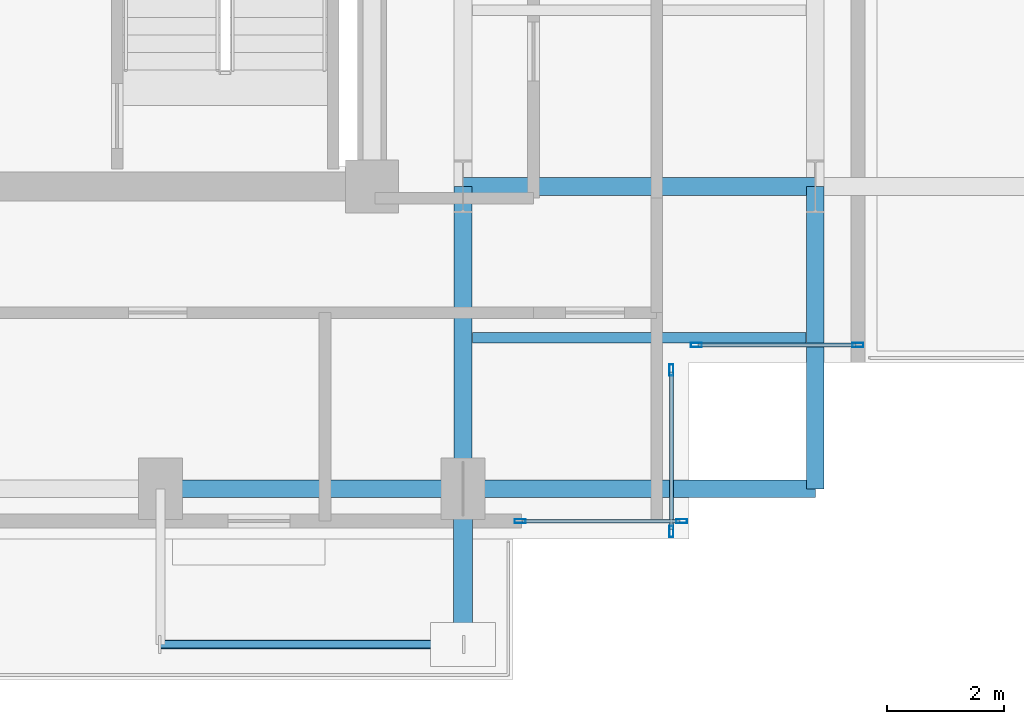
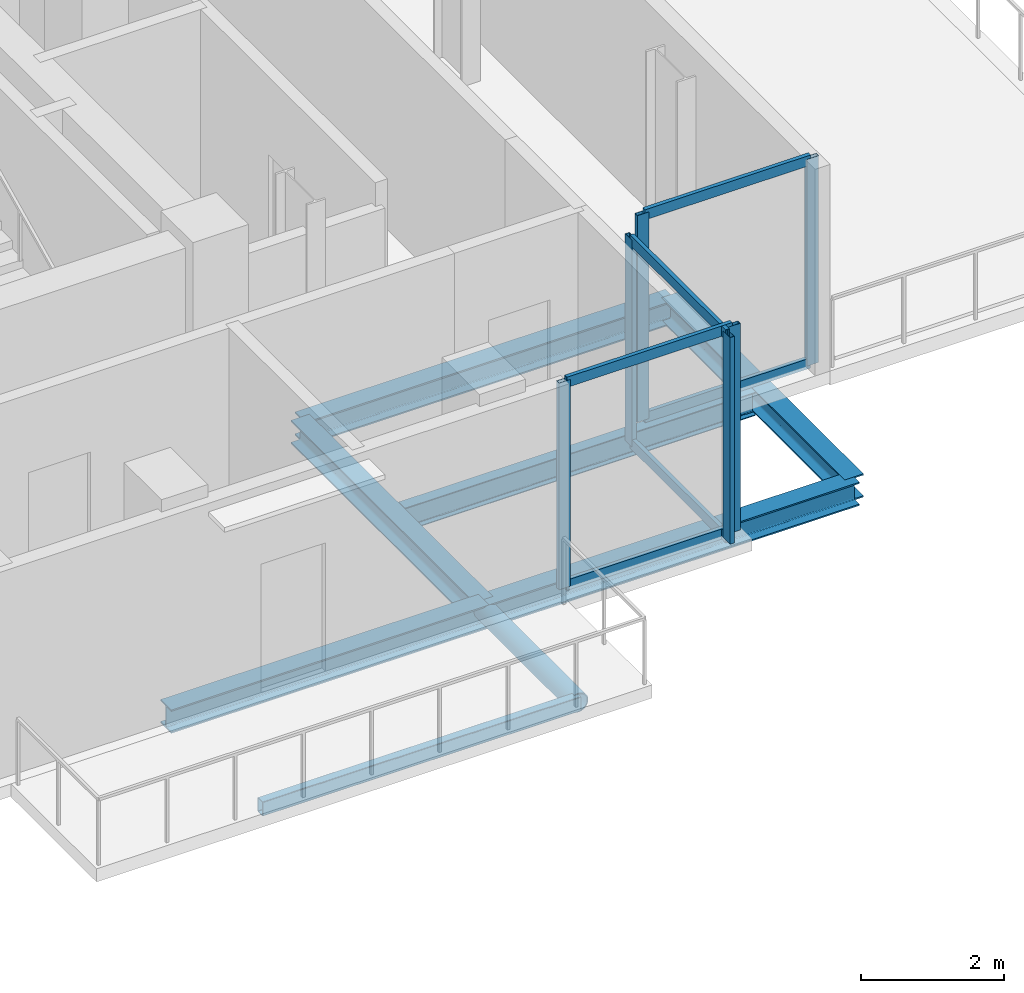
# One storey, part 11 of 28: 13 members, 7 beams, 3 elements without a shape of their own.
"""IFC4 building model written with IfcOpenShell, lengths in metres."""

from ifc_helpers import new_model, si_unit, direction, frame, origin, origin_2d, place, context, subcontext, project, spatial, hollow_rectangle, hollow_circle, i_section, extrude, material, layer, layer_set, material_profile, profile_set, type_object, element, aggregate, save


model = new_model("IFC4")

# Units and contexts
model_context = context("Model", 3, precision=1e-05, world=origin(), true_north=direction((0.0, 1.0)))
body_context = subcontext(model_context, "Body", "Model", "MODEL_VIEW")
ifc_project = project(units=[si_unit("LENGTHUNIT", "METRE"), si_unit("AREAUNIT", "SQUARE_METRE"), si_unit("VOLUMEUNIT", "CUBIC_METRE"), si_unit("PLANEANGLEUNIT", "RADIAN"), si_unit("MASSUNIT", "GRAM", prefix="KILO"), si_unit("THERMODYNAMICTEMPERATUREUNIT", "KELVIN"), si_unit("POWERUNIT", "WATT")], contexts=[model_context])

# Site, building, storey
site_placement = place(None, origin())
site = spatial("IfcSite", under=ifc_project, at=site_placement, CompositionType="ELEMENT")
building_placement = place(site_placement, origin())
building = spatial("IfcBuilding", under=site, at=building_placement, Name="Svarakhadi Broadcast Tower", CompositionType="ELEMENT")
storey_placement = place(building_placement, frame((0.0, 0.0, 169.199951171875)))
storey = spatial("IfcBuildingStorey", under=building, at=storey_placement, Name="L41", CompositionType="ELEMENT", Elevation=169.199951171875)

# Beam
ifc_material_1 = material(Name="Steel S355J2 (IS 2062 E350C)", Category="steel")
ifc_material_profile_1 = material_profile(ifc_material_1, i_section(OverallWidth=0.179931640625, OverallDepth=0.39990234375, WebThickness=0.008544921875, FlangeThickness=0.013427734375, FilletRadius=0.02099609375, at=origin_2d()), Name="NPB 400x180x66")
ifc_profile_set_1 = profile_set([ifc_material_profile_1], Name="Steel S355J2 (IS 2062 E350C)")
beam_type_1 = type_object("IfcBeamType", Name="Beam_NPB400", PredefinedType="BEAM", material=ifc_profile_set_1)
beam_1_placement = place(storey_placement, frame((35.31005859375, 3.425048828125, -0.409912109375), z_axis=(1.0, 0.0, 0.0), x_axis=(0.0, 1.0, 0.0)))
element("IfcBeam", 1, at=beam_1_placement, inside=storey, type_object=beam_type_1, Name="L41 Secondary Composite Beam SB017", PredefinedType="BEAM", context=body_context, shape_type="SweptSolid", body=[
    extrude(i_section(OverallWidth=0.179931640625, OverallDepth=0.39990234375, WebThickness=0.008544921875, FlangeThickness=0.013427734375, FilletRadius=0.02099609375, at=origin_2d()), origin(), (0.0, 0.0, 1.0), 5.679931640625),
])

# Curtain wall, members
ifc_material_2 = material(Name="Anodised Bronze Aluminium AA 6063-T6", Category="aluminium")
ifc_layer = layer(ifc_material_2, 0.18994140625)
ifc_layer_set = layer_set([ifc_layer], Name="Anodised Bronze Aluminium AA 6063-T6")
curtain_wall_type = type_object("IfcCurtainWallType", Name="CW_Sys_04", PredefinedType="NOTDEFINED", material=ifc_layer_set)
curtain_wall_1_placement = place(storey_placement, origin())
curtain_wall_1 = element("IfcCurtainWall", 2, at=curtain_wall_1_placement, inside=storey, type_object=curtain_wall_type, Name="L41 Unitised Facade Curtain Wall 12", PredefinedType="NOTDEFINED")
ifc_material_profile_2 = material_profile(ifc_material_2, hollow_rectangle(XDim=0.070068359375, YDim=0.18994140625, WallThickness=0.005615234375, at=origin_2d()), Name="ALU MULLION 190x70x6")
ifc_profile_set_2 = profile_set([ifc_material_profile_2], Name="Anodised Bronze Aluminium AA 6063-T6")
member_type_1 = type_object("IfcMemberType", Name="CW_Sys_04_Mul", PredefinedType="MULLION", material=ifc_profile_set_2)
member_1_placement = place(storey_placement, frame((41.875, 3.300048828125, 0.0), z_axis=(0.0, 0.0, 1.0), x_axis=(0.0, -1.0, 0.0)))
member_1 = element("IfcMember", 3, at=member_1_placement, type_object=member_type_1, Name="CW-04 mullion 1", PredefinedType="MULLION", context=body_context, shape_type="SweptSolid", body=[
    extrude(hollow_rectangle(XDim=0.070068359375, YDim=0.18994140625, WallThickness=0.005615234375, at=origin_2d()), origin(), (0.0, 0.0, 1.0), 3.5400390625),
])
member_2_placement = place(storey_placement, frame((39.125, 3.300048828125, 0.0), z_axis=(0.0, 0.0, 1.0), x_axis=(0.0, -1.0, 0.0)))
member_2 = element("IfcMember", 4, at=member_2_placement, type_object=member_type_1, Name="CW-04 mullion 2", PredefinedType="MULLION", context=body_context, shape_type="SweptSolid", body=[
    extrude(hollow_rectangle(XDim=0.070068359375, YDim=0.18994140625, WallThickness=0.005615234375, at=origin_2d()), origin(), (0.0, 0.0, 1.0), 3.5400390625),
])

curtain_wall_2_placement = place(storey_placement, origin())
curtain_wall_2 = element("IfcCurtainWall", 5, at=curtain_wall_2_placement, inside=storey, type_object=curtain_wall_type, Name="L41 Unitised Facade Curtain Wall 13", PredefinedType="NOTDEFINED")
member_3_placement = place(storey_placement, frame((38.699951171875, 2.875, 0.0), z_axis=(0.0, 0.0, 1.0), x_axis=(1.0, 0.0, 0.0)))
member_3 = element("IfcMember", 6, at=member_3_placement, type_object=member_type_1, Name="CW-04 mullion 1", PredefinedType="MULLION", context=body_context, shape_type="SweptSolid", body=[
    extrude(hollow_rectangle(XDim=0.070068359375, YDim=0.18994140625, WallThickness=0.005615234375, at=origin_2d()), origin(), (0.0, 0.0, 1.0), 3.5400390625),
])
member_4_placement = place(storey_placement, frame((38.699951171875, 0.125, 0.0), z_axis=(0.0, 0.0, 1.0), x_axis=(1.0, 0.0, 0.0)))
member_4 = element("IfcMember", 7, at=member_4_placement, type_object=member_type_1, Name="CW-04 mullion 2", PredefinedType="MULLION", context=body_context, shape_type="SweptSolid", body=[
    extrude(hollow_rectangle(XDim=0.070068359375, YDim=0.18994140625, WallThickness=0.005615234375, at=origin_2d()), origin(), (0.0, 0.0, 1.0), 3.5400390625),
])

curtain_wall_3_placement = place(storey_placement, origin())
curtain_wall_3 = element("IfcCurtainWall", 8, at=curtain_wall_3_placement, inside=storey, type_object=curtain_wall_type, Name="L41 South Curtain Wall 14", PredefinedType="NOTDEFINED")
member_5_placement = place(storey_placement, frame((38.875, 0.300048828125, 0.0), z_axis=(0.0, 0.0, 1.0), x_axis=(0.0, -1.0, 0.0)))
member_5 = element("IfcMember", 9, at=member_5_placement, type_object=member_type_1, Name="CW-04 mullion 1", PredefinedType="MULLION", context=body_context, shape_type="SweptSolid", body=[
    extrude(hollow_rectangle(XDim=0.070068359375, YDim=0.18994140625, WallThickness=0.005615234375, at=origin_2d()), origin(), (0.0, 0.0, 1.0), 3.5400390625),
])
member_6_placement = place(storey_placement, frame((36.125, 0.300048828125, 0.0), z_axis=(0.0, 0.0, 1.0), x_axis=(0.0, -1.0, 0.0)))
member_6 = element("IfcMember", 10, at=member_6_placement, type_object=member_type_1, Name="CW-04 mullion 2", PredefinedType="MULLION", context=body_context, shape_type="SweptSolid", body=[
    extrude(hollow_rectangle(XDim=0.070068359375, YDim=0.18994140625, WallThickness=0.005615234375, at=origin_2d()), origin(), (0.0, 0.0, 1.0), 3.5400390625),
])

# Member
ifc_material_profile_3 = material_profile(ifc_material_2, hollow_rectangle(XDim=0.06494140625, YDim=0.175048828125, WallThickness=0.0048828125, at=origin_2d()), Name="ALU TRANSOM 175x65x5")
ifc_profile_set_3 = profile_set([ifc_material_profile_3], Name="Anodised Bronze Aluminium AA 6063-T6")
member_type_2 = type_object("IfcMemberType", Name="CW_Sys_04_Trn", PredefinedType="USERDEFINED", material=ifc_profile_set_3)
member_7_placement = place(storey_placement, frame((41.840087890625, 3.300048828125, 0.032470703125), z_axis=(-1.0, 0.0, 0.0), x_axis=(0.0, -1.0, 0.0)))
member_7 = element("IfcMember", 11, at=member_7_placement, type_object=member_type_2, Name="CW-04 transom 1.1", ObjectType="TRANSOM", PredefinedType="USERDEFINED", context=body_context, shape_type="SweptSolid", body=[
    extrude(hollow_rectangle(XDim=0.06494140625, YDim=0.175048828125, WallThickness=0.0048828125, at=origin_2d()), origin(), (0.0, 0.0, 1.0), 2.68017578125),
])

member_8_placement = place(storey_placement, frame((41.840087890625, 3.300048828125, 3.507568359375), z_axis=(-1.0, 0.0, 0.0), x_axis=(0.0, -1.0, 0.0)))
member_8 = element("IfcMember", 12, at=member_8_placement, type_object=member_type_2, Name="CW-04 transom 1.2", ObjectType="TRANSOM", PredefinedType="USERDEFINED", context=body_context, shape_type="SweptSolid", body=[
    extrude(hollow_rectangle(XDim=0.06494140625, YDim=0.175048828125, WallThickness=0.0048828125, at=origin_2d()), origin(), (0.0, 0.0, 1.0), 2.68017578125),
])

aggregate(curtain_wall_1, [member_1, member_2, member_7, member_8])

member_9_placement = place(storey_placement, frame((38.699951171875, 2.840087890625, 0.032470703125), z_axis=(0.0, -1.0, 0.0), x_axis=(1.0, 0.0, 0.0)))
member_9 = element("IfcMember", 13, at=member_9_placement, type_object=member_type_2, Name="CW-04 transom 1.1", ObjectType="TRANSOM", PredefinedType="USERDEFINED", context=body_context, shape_type="SweptSolid", body=[
    extrude(hollow_rectangle(XDim=0.06494140625, YDim=0.175048828125, WallThickness=0.0048828125, at=origin_2d()), origin(), (0.0, 0.0, 1.0), 2.68017578125),
])

member_10_placement = place(storey_placement, frame((38.699951171875, 2.840087890625, 3.507568359375), z_axis=(0.0, -1.0, 0.0), x_axis=(1.0, 0.0, 0.0)))
member_10 = element("IfcMember", 14, at=member_10_placement, type_object=member_type_2, Name="CW-04 transom 1.2", ObjectType="TRANSOM", PredefinedType="USERDEFINED", context=body_context, shape_type="SweptSolid", body=[
    extrude(hollow_rectangle(XDim=0.06494140625, YDim=0.175048828125, WallThickness=0.0048828125, at=origin_2d()), origin(), (0.0, 0.0, 1.0), 2.68017578125),
])

aggregate(curtain_wall_2, [member_3, member_4, member_9, member_10])

member_11_placement = place(storey_placement, frame((38.840087890625, 0.300048828125, 0.032470703125), z_axis=(-1.0, 0.0, 0.0), x_axis=(0.0, -1.0, 0.0)))
member_11 = element("IfcMember", 15, at=member_11_placement, type_object=member_type_2, Name="CW-04 transom 1.1", ObjectType="TRANSOM", PredefinedType="USERDEFINED", context=body_context, shape_type="SweptSolid", body=[
    extrude(hollow_rectangle(XDim=0.06494140625, YDim=0.175048828125, WallThickness=0.0048828125, at=origin_2d()), origin(), (0.0, 0.0, 1.0), 2.68017578125),
])

member_12_placement = place(storey_placement, frame((38.840087890625, 0.300048828125, 3.507568359375), z_axis=(-1.0, 0.0, 0.0), x_axis=(0.0, -1.0, 0.0)))
member_12 = element("IfcMember", 16, at=member_12_placement, type_object=member_type_2, Name="CW-04 transom 1.2", ObjectType="TRANSOM", PredefinedType="USERDEFINED", context=body_context, shape_type="SweptSolid", body=[
    extrude(hollow_rectangle(XDim=0.06494140625, YDim=0.175048828125, WallThickness=0.0048828125, at=origin_2d()), origin(), (0.0, 0.0, 1.0), 2.68017578125),
])

aggregate(curtain_wall_3, [member_5, member_6, member_11, member_12])

ifc_material_3 = material(Name="Steel S460ML (IS 2062 E450BR)", Category="steel")
ifc_material_profile_4 = material_profile(ifc_material_3, hollow_circle(Radius=0.161865234375, WallThickness=0.01611328125, at=origin_2d()), Name="CHS 323.9x16")
ifc_profile_set_4 = profile_set([ifc_material_profile_4], Name="Steel S460ML (IS 2062 E450BR)")
member_type_3 = type_object("IfcMemberType", Name="Exo_Radial_Strut_Z2", PredefinedType="STRUT", material=ifc_profile_set_4)
member_13_placement = place(storey_placement, frame((35.14990234375, -1.800048828125, -0.371826171875), z_axis=(0.0, 1.0, 0.0), x_axis=(-1.0, 0.0, 0.0)))
element("IfcMember", 17, at=member_13_placement, inside=storey, type_object=member_type_3, Name="L41 Exoskeleton Radial Tie Strut S03", PredefinedType="STRUT", context=body_context, shape_type="SweptSolid", body=[
    extrude(hollow_circle(Radius=0.161865234375, WallThickness=0.01611328125, at=origin_2d()), origin(), (0.0, 0.0, 1.0), 2.650146484375),
])

# Beams
ifc_material_profile_5 = material_profile(ifc_material_1, i_section(OverallWidth=0.300048828125, OverallDepth=0.39990234375, WebThickness=0.013427734375, FlangeThickness=0.02392578125, FilletRadius=0.027099609375, at=origin_2d()), Name="WPB 400x300x155")
ifc_profile_set_5 = profile_set([ifc_material_profile_5], Name="Steel S355J2 (IS 2062 E350C)")
beam_type_2 = type_object("IfcBeamType", Name="Girder_WPB400", PredefinedType="USERDEFINED", material=ifc_profile_set_5)
beam_2_placement = place(storey_placement, frame((30.0, 0.85009765625, -0.409912109375), z_axis=(1.0, 0.0, 0.0), x_axis=(0.0, 1.0, 0.0)))
element("IfcBeam", 18, at=beam_2_placement, inside=storey, type_object=beam_type_2, Name="L41 Primary E-W Girder G008", ObjectType="GIRDER", PredefinedType="USERDEFINED", context=body_context, shape_type="SweptSolid", body=[
    extrude(i_section(OverallWidth=0.300048828125, OverallDepth=0.39990234375, WebThickness=0.013427734375, FlangeThickness=0.02392578125, FilletRadius=0.027099609375, at=origin_2d()), origin(), (0.0, 0.0, 1.0), 5.14990234375),
])
for number, where, z_axis, x_axis, name in (
    (19, (35.14990234375, 0.85009765625, -0.409912109375), (1.0, 0.0, 0.0), (0.0, 1.0, 0.0), "L41 Primary E-W Girder G009"),
    (20, (35.14990234375, 6.0, -0.409912109375), (1.0, 0.0, 0.0), (0.0, 1.0, 0.0), "L41 Primary E-W Girder G015"),
):
    element("IfcBeam", number, at=place(storey_placement, frame(where, z_axis=z_axis, x_axis=x_axis)), inside=storey, type_object=beam_type_2, Name=name, ObjectType="GIRDER", PredefinedType="USERDEFINED", context=body_context, shape_type="SweptSolid", body=[
        extrude(i_section(OverallWidth=0.300048828125, OverallDepth=0.39990234375, WebThickness=0.013427734375, FlangeThickness=0.02392578125, FilletRadius=0.027099609375, at=origin_2d()), origin(), (0.0, 0.0, 1.0), 6.0),
    ])
for number, where, z_axis, x_axis, name in (
    (21, (35.14990234375, 0.85009765625, -0.409912109375), (0.0, 1.0, 0.0), (-1.0, 0.0, 0.0), "L41 Primary N-S Girder G059"),
    (22, (41.14990234375, 0.85009765625, -0.409912109375), (0.0, 1.0, 0.0), (-1.0, 0.0, 0.0), "L41 Primary N-S Girder G062"),
):
    element("IfcBeam", number, at=place(storey_placement, frame(where, z_axis=z_axis, x_axis=x_axis)), inside=storey, type_object=beam_type_2, Name=name, ObjectType="GIRDER", PredefinedType="USERDEFINED", context=body_context, shape_type="SweptSolid", body=[
        extrude(i_section(OverallWidth=0.300048828125, OverallDepth=0.39990234375, WebThickness=0.013427734375, FlangeThickness=0.02392578125, FilletRadius=0.027099609375, at=origin_2d()), origin(), (0.0, 0.0, 1.0), 5.14990234375),
    ])
ifc_material_profile_6 = material_profile(ifc_material_3, hollow_rectangle(XDim=0.14990234375, YDim=0.25, WallThickness=0.010009765625, InnerFilletRadius=0.010009765625, OuterFilletRadius=0.02001953125, at=origin_2d()), Name="RHS 250x150x10")
ifc_profile_set_6 = profile_set([ifc_material_profile_6], Name="Steel S460ML (IS 2062 E450BR)")
beam_type_3 = type_object("IfcBeamType", Name="Spandrel_RHS250", PredefinedType="SPANDREL", material=ifc_profile_set_6)
beam_3_placement = place(storey_placement, frame((30.0, -1.800048828125, -0.349853515625), z_axis=(1.0, 0.0, 0.0), x_axis=(0.0, 1.0, 0.0)))
element("IfcBeam", 23, at=beam_3_placement, inside=storey, type_object=beam_type_3, Name="L41 Balcony Outer Spandrel 1F", PredefinedType="SPANDREL", context=body_context, shape_type="SweptSolid", body=[
    extrude(hollow_rectangle(XDim=0.14990234375, YDim=0.25, WallThickness=0.010009765625, InnerFilletRadius=0.010009765625, OuterFilletRadius=0.02001953125, at=origin_2d()), origin(), (0.0, 0.0, 1.0), 5.14990234375),
])

save(model, "model.ifc")
